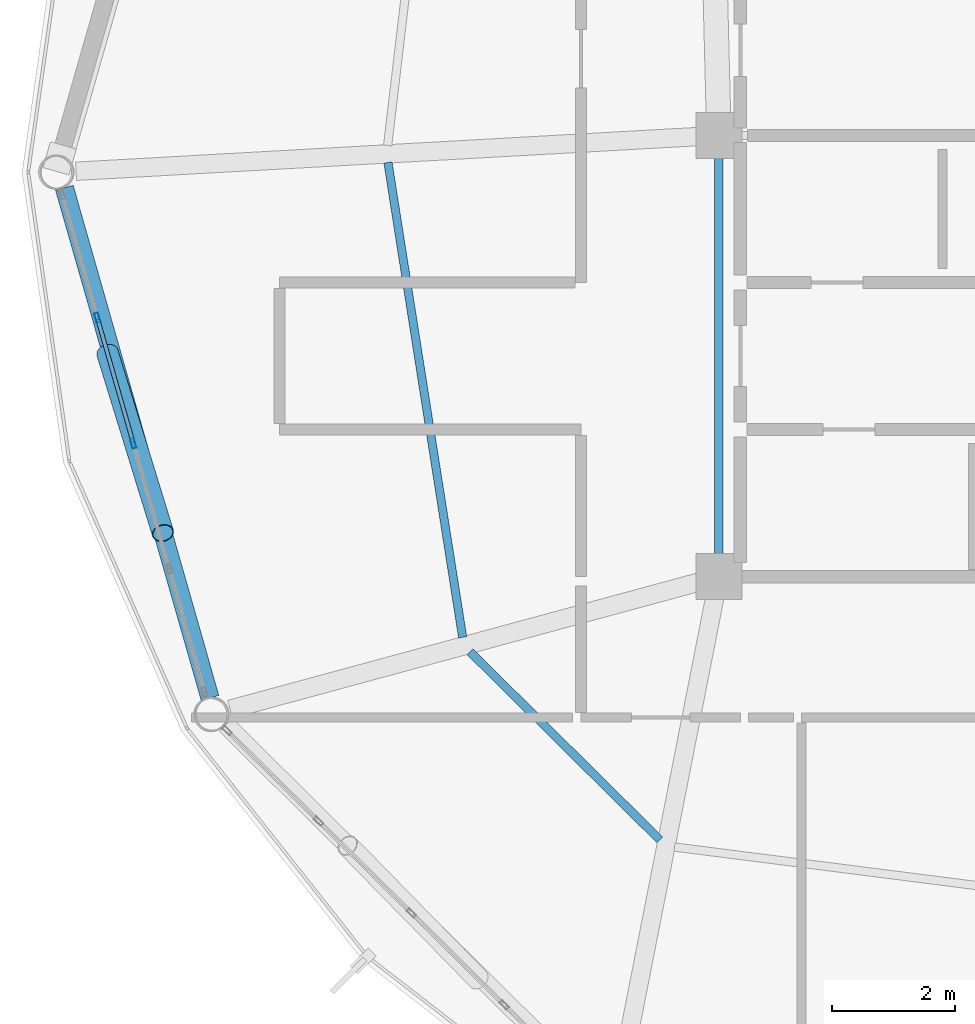
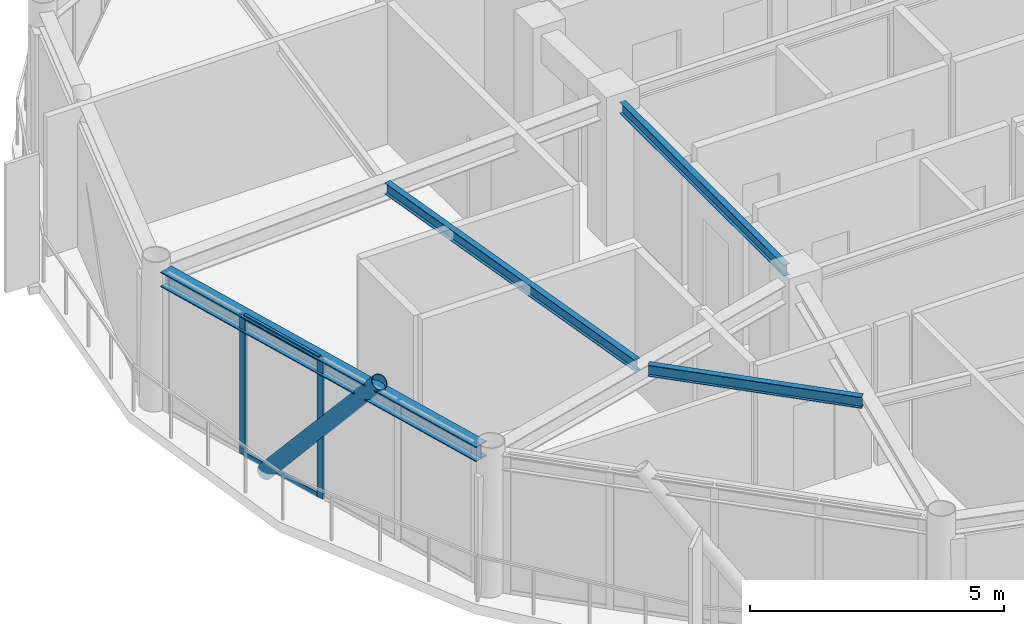
# One storey, part 5 of 24: 5 members, 4 beams, 1 element without a shape of its own.
"""IFC4 building model written with IfcOpenShell, lengths in metres."""

import ifcopenshell
import ifcopenshell.guid

model = None  # the IFC model being written
_history = None  # IfcOwnerHistory: only IFC2X3 demands one
_inside = {}  # id of a spatial element -> (the spatial element, [elements in it])
_under = {}  # id of a project, library or spatial element -> (it, [spatial elements below it])
_declared = {}  # id of a project -> (the project, [libraries it declares])
_typed = {}  # id of a type object -> (the type object, [elements of that type])
_made_of = {}  # id of a material, layer set ... -> (it, [elements and type objects made of it])


def new_model(schema):
    """Start an empty IFC model of exactly this schema.

    Asked for "IFC4X3", IfcOpenShell would pick the latest addendum, in which some entities
    have other attributes; the version numbers below select the first issue.
    IFC2X3 requires an IfcOwnerHistory on every rooted entity: one is made here for all.
    """
    global model, _history
    if schema == "IFC4X3":
        model = ifcopenshell.file(schema_version=(4, 3, 0, 0))
    else:
        model = ifcopenshell.file(schema=schema)
    _inside.clear()
    _under.clear()
    _declared.clear()
    _typed.clear()
    _made_of.clear()
    _history = None
    if model.schema == "IFC2X3":
        org = make("IfcOrganization", Name="unknown")
        user = make(
            "IfcPersonAndOrganization",
            ThePerson=make("IfcPerson", FamilyName="unknown"),
            TheOrganization=org,
        )
        app = make(
            "IfcApplication",
            ApplicationDeveloper=org,
            Version="unknown",
            ApplicationFullName="unknown",
            ApplicationIdentifier="unknown",
        )
        _history = make(
            "IfcOwnerHistory",
            OwningUser=user,
            OwningApplication=app,
            ChangeAction="ADDED",
            CreationDate=0,
        )
    return model


def make(cls, **values):
    """One entity of the class cls with the attributes given. An attribute that is None is left unset."""
    return model.create_entity(
        cls, **{name: value for name, value in values.items() if value is not None}
    )


def rooted(cls, **values):
    """An entity with a GlobalId (a new one), such as an element, a storey or a relation."""
    return make(cls, GlobalId=ifcopenshell.guid.new(), OwnerHistory=_history, **values)


def si_unit(unit_type, name, prefix=None):
    """IfcSIUnit, for example si_unit("LENGTHUNIT", "METRE", prefix="MILLI")."""
    return make("IfcSIUnit", UnitType=unit_type, Prefix=prefix, Name=name)


def assignment(units):
    """IfcUnitAssignment: the units of a project."""
    return None if units is None else make("IfcUnitAssignment", Units=units)


def point(xyz):
    """IfcCartesianPoint."""
    return None if xyz is None else make("IfcCartesianPoint", Coordinates=xyz)


def direction(xyz):
    """IfcDirection."""
    return None if xyz is None else make("IfcDirection", DirectionRatios=xyz)


def frame(location, z_axis=None, x_axis=None):
    """IfcAxis2Placement3D, a coordinate frame: its origin and axes. An axis left out is left unset."""
    return make(
        "IfcAxis2Placement3D",
        Location=point(location),
        Axis=direction(z_axis),
        RefDirection=direction(x_axis),
    )


def frame_2d(location, x_axis=None):
    """IfcAxis2Placement2D, a coordinate frame in the plane: its origin and x axis."""
    return make(
        "IfcAxis2Placement2D", Location=point(location), RefDirection=direction(x_axis)
    )


def origin():
    """The frame at (0, 0, 0) with its axes left unset."""
    return frame((0.0, 0.0, 0.0))


def origin_2d():
    """The frame at (0, 0) in the plane with its x axis left unset."""
    return frame_2d((0.0, 0.0))


def place(relative_to, where):
    """IfcLocalPlacement: puts the frame where relative to a parent placement (None: the world)."""
    return make(
        "IfcLocalPlacement", PlacementRelTo=relative_to, RelativePlacement=where
    )


def context(
    kind, dimensions, precision=None, world=None, true_north=None, identifier=None
):
    """IfcGeometricRepresentationContext, for example the 3D "Model" context."""
    return make(
        "IfcGeometricRepresentationContext",
        ContextIdentifier=identifier,
        ContextType=kind,
        CoordinateSpaceDimension=dimensions,
        Precision=precision,
        WorldCoordinateSystem=world,
        TrueNorth=true_north,
    )


def subcontext(parent, identifier, kind, view, scale=None):
    """IfcGeometricRepresentationSubContext, for example "Body" below "Model"."""
    return make(
        "IfcGeometricRepresentationSubContext",
        ContextIdentifier=identifier,
        ContextType=kind,
        ParentContext=parent,
        TargetScale=scale,
        TargetView=view,
    )


def project(units=None, contexts=None):
    """IfcProject with its units and contexts."""
    return rooted(
        "IfcProject",
        Name="project",
        RepresentationContexts=contexts,
        UnitsInContext=assignment(units),
    )


def spatial(cls, under=None, at=None, **own):
    """A site, building, storey or space (cls), placed at a placement, below another one or the project."""
    s = rooted(cls, ObjectPlacement=at, **own)
    if under is not None:
        _under.setdefault(under.id(), (under, []))[1].append(s)
    return s


def profile(cls, at=None, kind="AREA", **sizes):
    """A parametric profile (cls). Its sizes go by their IFC names, for example OverallWidth=200.0."""
    return make(cls, ProfileType=kind, Position=at, **sizes)


def hollow_rectangle(**sizes):
    """IfcRectangleHollowProfileDef."""
    return profile("IfcRectangleHollowProfileDef", **sizes)


def hollow_circle(**sizes):
    """IfcCircleHollowProfileDef."""
    return profile("IfcCircleHollowProfileDef", **sizes)


def i_section(**sizes):
    """IfcIShapeProfileDef."""
    return profile("IfcIShapeProfileDef", **sizes)


def extrude(swept, where, along, depth):
    """IfcExtrudedAreaSolid: the profile swept, set in the frame where, extruded along a direction by depth."""
    return make(
        "IfcExtrudedAreaSolid",
        SweptArea=swept,
        Position=where,
        ExtrudedDirection=direction(along),
        Depth=depth,
    )


def shape(context_of_items, identifier, shape_type, items):
    """IfcShapeRepresentation: the items that make up one representation, for example the "Body"."""
    return make(
        "IfcShapeRepresentation",
        ContextOfItems=context_of_items,
        RepresentationIdentifier=identifier,
        RepresentationType=shape_type,
        Items=items,
    )


def material(Name=None, Category=None):
    """IfcMaterial."""
    return make("IfcMaterial", Name=Name, Category=Category)


def layer(
    of_material, thickness, ventilated=None, Name=None, Category=None, Priority=None
):
    """IfcMaterialLayer: one layer of a wall or slab, of a material (None: an air gap)."""
    return make(
        "IfcMaterialLayer",
        Material=of_material,
        LayerThickness=thickness,
        IsVentilated=ventilated,
        Name=Name,
        Category=Category,
        Priority=Priority,
    )


def layer_set(layers, Name=None):
    """IfcMaterialLayerSet."""
    return make("IfcMaterialLayerSet", MaterialLayers=layers, LayerSetName=Name)


def material_profile(
    of_material, cross_section, Name=None, Category=None, Priority=None
):
    """IfcMaterialProfile: a cross section and its material."""
    return make(
        "IfcMaterialProfile",
        Name=Name,
        Material=of_material,
        Profile=cross_section,
        Priority=Priority,
        Category=Category,
    )


def profile_set(profiles, Name=None, composite=None):
    """IfcMaterialProfileSet."""
    return make(
        "IfcMaterialProfileSet",
        Name=Name,
        MaterialProfiles=profiles,
        CompositeProfile=composite,
    )


def made_of(thing, what):
    """Note that an element or type object is made of a material, layer set ...; save() writes the relation."""
    if what is not None:
        _made_of.setdefault(what.id(), (what, []))[1].append(thing)
    return thing


def type_object(cls, material=None, **own):
    """A type object (cls), such as IfcWallType, which elements share."""
    return made_of(rooted(cls, **own), material)


def element(
    cls,
    number,
    at=None,
    inside=None,
    cuts=None,
    type_object=None,
    material=None,
    context=None,
    identifier="Body",
    shape_type=None,
    held_by="IfcProductDefinitionShape",
    body=None,
    shapes=None,
    **own,
):
    """One element of the class cls, such as IfcWall. Its Tag is "e" and its number.

    at: its placement. inside: the storey or other place that contains it. cuts: it is an
    opening in that element (IfcRelVoidsElement). A single representation is given by context,
    identifier, shape_type and body (its items); several are given by shapes. held_by: the class
    of the entity that holds the representations. save() writes the other relations.
    """
    e = rooted(cls, Tag="e%d" % number, ObjectPlacement=at, **own)
    if body is not None:
        shapes = [shape(context, identifier, shape_type, body)]
    if shapes is not None:
        e.Representation = make(held_by, Representations=shapes)
    if inside is not None:
        _inside.setdefault(inside.id(), (inside, []))[1].append(e)
    if cuts is not None:
        rooted(
            "IfcRelVoidsElement", RelatingBuildingElement=cuts, RelatedOpeningElement=e
        )
    if type_object is not None:
        _typed.setdefault(type_object.id(), (type_object, []))[1].append(e)
    return made_of(e, material)


def aggregate(whole, parts):
    """IfcRelAggregates: a whole, such as a stair, and the parts it consists of."""
    return rooted("IfcRelAggregates", RelatingObject=whole, RelatedObjects=parts)


def save(model, path):
    """Write the relations noted so far, then the file.

    IfcRelAggregates (storeys below a building ...), IfcRelContainedInSpatialStructure (elements
    in a storey), IfcRelDefinesByType, IfcRelAssociatesMaterial and IfcRelDeclares: one each for
    every whole, place, type object, material and project.
    """
    for whole, parts in _under.values():
        aggregate(whole, parts)
    for where, things in _inside.values():
        rooted(
            "IfcRelContainedInSpatialStructure",
            RelatedElements=things,
            RelatingStructure=where,
        )
    for kind, things in _typed.values():
        rooted("IfcRelDefinesByType", RelatedObjects=things, RelatingType=kind)
    for what, things in _made_of.values():
        rooted("IfcRelAssociatesMaterial", RelatedObjects=things, RelatingMaterial=what)
    for by, libraries in _declared.values():
        rooted("IfcRelDeclares", RelatingContext=by, RelatedDefinitions=libraries)
    model.write(path)


model = new_model("IFC4")

# Units and contexts
model_context = context("Model", 3, precision=1e-05, world=origin(), true_north=direction((0.0, 1.0)))
body_context = subcontext(model_context, "Body", "Model", "MODEL_VIEW")
ifc_project = project(units=[si_unit("LENGTHUNIT", "METRE"), si_unit("AREAUNIT", "SQUARE_METRE"), si_unit("VOLUMEUNIT", "CUBIC_METRE"), si_unit("PLANEANGLEUNIT", "RADIAN"), si_unit("MASSUNIT", "GRAM", prefix="KILO")], contexts=[model_context])

# Site, building, storey
site_placement = place(None, origin())
site = spatial("IfcSite", under=ifc_project, at=site_placement, CompositionType="ELEMENT")
building_placement = place(site_placement, origin())
building = spatial("IfcBuilding", under=site, at=building_placement, Name="Varnakorn Sky Granary", CompositionType="ELEMENT")
storey_placement = place(building_placement, frame((0.0, 0.0, 274.199951171875)))
storey = spatial("IfcBuildingStorey", under=building, at=storey_placement, Name="L70", CompositionType="ELEMENT", Elevation=274.199951171875)

# Beams
ifc_material_1 = material(Name="Steel S355JR", Category="steel")
ifc_material_profile_1 = material_profile(ifc_material_1, i_section(OverallWidth=0.135009765625, OverallDepth=0.27001953125, WebThickness=0.006591796875, FlangeThickness=0.01025390625, at=origin_2d()), Name="IPE 270")
ifc_profile_set_1 = profile_set([ifc_material_profile_1], Name="Steel S355JR")
beam_type_1 = type_object("IfcBeamType", Name="BM-SEC-Z5", PredefinedType="BEAM", material=ifc_profile_set_1)
beam_1_placement = place(storey_placement, frame((-7.75, 0.1591796875, 3.22509765625), z_axis=(0.155419190833, -0.987848609414, 0.0), x_axis=(0.987848609414, 0.155419190833, 0.0)))
element("IfcBeam", 1, at=beam_1_placement, inside=storey, type_object=beam_type_1, Name="Secondary Floor Chord Beam MSB07 L70", PredefinedType="BEAM", context=body_context, shape_type="SweptSolid", body=[
    extrude(i_section(OverallWidth=0.135009765625, OverallDepth=0.27001953125, WebThickness=0.006591796875, FlangeThickness=0.01025390625, at=origin_2d()), origin(), (0.0, 0.0, 1.0), 7.8447265625),
])
beam_2_placement = place(storey_placement, frame((-6.40966796875, -7.8271484375, 3.22509765625), z_axis=(0.710347007539, -0.703851638402, 0.0), x_axis=(0.703851638402, 0.710347007539, 0.0)))
element("IfcBeam", 2, at=beam_2_placement, inside=storey, type_object=beam_type_1, Name="Secondary Floor Chord Beam MSB08 L70", PredefinedType="BEAM", context=body_context, shape_type="SweptSolid", body=[
    extrude(i_section(OverallWidth=0.135009765625, OverallDepth=0.27001953125, WebThickness=0.006591796875, FlangeThickness=0.01025390625, at=origin_2d()), origin(), (0.0, 0.0, 1.0), 4.360107421875),
])
beam_3_placement = place(storey_placement, frame((-2.35009765625, 0.2451171875, 3.22509765625), z_axis=(0.0, -1.0, 0.0), x_axis=(1.0, 0.0, 0.0)))
element("IfcBeam", 3, at=beam_3_placement, inside=storey, type_object=beam_type_1, Name="Core Spine Framing Beam 3 L70", PredefinedType="BEAM", context=body_context, shape_type="SweptSolid", body=[
    extrude(i_section(OverallWidth=0.135009765625, OverallDepth=0.27001953125, WebThickness=0.006591796875, FlangeThickness=0.01025390625, at=origin_2d()), origin(), (0.0, 0.0, 1.0), 6.490234375),
])
ifc_material_profile_2 = material_profile(ifc_material_1, i_section(OverallWidth=0.300048828125, OverallDepth=0.360107421875, WebThickness=0.012451171875, FlangeThickness=0.0224609375, at=origin_2d()), Name="HE 360 B")
ifc_profile_set_2 = profile_set([ifc_material_profile_2], Name="Steel S355JR")
beam_type_2 = type_object("IfcBeamType", Name="BM-SPD-Z5", PredefinedType="SPANDREL", material=ifc_profile_set_2)
beam_4_placement = place(storey_placement, frame((-13.030517578125, -0.25439453125, 3.179931640625), z_axis=(0.27458331757, -0.961563311338, 0.0), x_axis=(0.961563311338, 0.27458331757, 0.0)))
element("IfcBeam", 4, at=beam_4_placement, inside=storey, type_object=beam_type_2, Name="Perimeter Spandrel Ring Beam RB07 L70", PredefinedType="SPANDREL", context=body_context, shape_type="SweptSolid", body=[
    extrude(i_section(OverallWidth=0.300048828125, OverallDepth=0.360107421875, WebThickness=0.012451171875, FlangeThickness=0.0224609375, at=origin_2d()), origin(), (0.0, 0.0, 1.0), 8.657470703125),
])

# Curtain wall, members
ifc_material_2 = material(Name="Anodised Bronze Aluminium Alloy 6063-T6", Category="aluminium")
ifc_layer = layer(ifc_material_2, 0.159912109375, Name="Anodised Bronze Aluminium Alloy 6063-T6")
ifc_layer_set = layer_set([ifc_layer], Name="Anodised Bronze Aluminium Alloy 6063-T6")
curtain_wall_type = type_object("IfcCurtainWallType", Name="CW-OFF-1", PredefinedType="USERDEFINED", material=ifc_layer_set)
curtain_wall_placement = place(storey_placement, origin())
curtain_wall = element("IfcCurtainWall", 5, at=curtain_wall_placement, inside=storey, type_object=curtain_wall_type, Name="Unitised Curtain Wall CW6 CW-L70-B07", ObjectType="CURTAIN WALL", PredefinedType="USERDEFINED")
ifc_material_profile_3 = material_profile(ifc_material_2, hollow_rectangle(XDim=0.06494140625, YDim=0.159912109375, WallThickness=0.00341796875, at=origin_2d()), Name="ALU MULL 65x160")
ifc_profile_set_3 = profile_set([ifc_material_profile_3], Name="Anodised Bronze Aluminium Alloy 6063-T6")
member_type_1 = type_object("IfcMemberType", Name="CW-OFF-1-MULL", PredefinedType="MULLION", material=ifc_profile_set_3)
member_1_placement = place(storey_placement, frame((-11.9052734375, -4.425048828125, 0.0), z_axis=(0.0, 0.0, 1.0), x_axis=(-0.961448226015, -0.27498601545, 0.0)))
member_1 = element("IfcMember", 6, at=member_1_placement, type_object=member_type_1, Name="CW6 mullion 3", PredefinedType="MULLION", context=body_context, shape_type="SweptSolid", body=[
    extrude(hollow_rectangle(XDim=0.06494140625, YDim=0.159912109375, WallThickness=0.00341796875, at=origin_2d()), origin(), (0.0, 0.0, 1.0), 3.360107421875),
])
member_2_placement = place(storey_placement, frame((-12.491455078125, -2.375732421875, 0.0), z_axis=(0.0, 0.0, 1.0), x_axis=(-0.961448226015, -0.27498601545, 0.0)))
member_2 = element("IfcMember", 7, at=member_2_placement, type_object=member_type_1, Name="CW6 mullion 4", PredefinedType="MULLION", context=body_context, shape_type="SweptSolid", body=[
    extrude(hollow_rectangle(XDim=0.06494140625, YDim=0.159912109375, WallThickness=0.00341796875, at=origin_2d()), origin(), (0.0, 0.0, 1.0), 3.360107421875),
])
ifc_material_profile_4 = material_profile(ifc_material_2, hollow_rectangle(XDim=0.06494140625, YDim=0.1201171875, WallThickness=0.00341796875, at=origin_2d()), Name="ALU TRAN 65x120")
ifc_profile_set_4 = profile_set([ifc_material_profile_4], Name="Anodised Bronze Aluminium Alloy 6063-T6")
member_type_2 = type_object("IfcMemberType", Name="CW-OFF-1-TRAN", PredefinedType="USERDEFINED", material=ifc_profile_set_4)
member_3_placement = place(storey_placement, frame((-11.914306640625, -4.393798828125, 0.032470703125), z_axis=(-0.274923974933, 0.9614659682, 0.0), x_axis=(-0.9614659682, -0.274923974933, 0.0)))
member_3 = element("IfcMember", 8, at=member_3_placement, type_object=member_type_2, Name="CW6 transom 3.1", ObjectType="TRANSOM", PredefinedType="USERDEFINED", context=body_context, shape_type="SweptSolid", body=[
    extrude(hollow_rectangle(XDim=0.06494140625, YDim=0.1201171875, WallThickness=0.00341796875, at=origin_2d()), origin(), (0.0, 0.0, 1.0), 2.06640625),
])
member_4_placement = place(storey_placement, frame((-11.914306640625, -4.393798828125, 3.32763671875), z_axis=(-0.274923974933, 0.9614659682, 0.0), x_axis=(-0.9614659682, -0.274923974933, 0.0)))
member_4 = element("IfcMember", 9, at=member_4_placement, type_object=member_type_2, Name="CW6 transom 3.2", ObjectType="TRANSOM", PredefinedType="USERDEFINED", context=body_context, shape_type="SweptSolid", body=[
    extrude(hollow_rectangle(XDim=0.06494140625, YDim=0.1201171875, WallThickness=0.00341796875, at=origin_2d()), origin(), (0.0, 0.0, 1.0), 2.06640625),
])
aggregate(curtain_wall, [member_1, member_2, member_3, member_4])

# Member
ifc_material_3 = material(Name="Steel S460M", Category="steel")
ifc_material_profile_5 = material_profile(ifc_material_3, hollow_circle(Radius=0.177734375, WallThickness=0.01416015625, at=origin_2d()), Name="CHS 355.6x14")
ifc_profile_set_5 = profile_set([ifc_material_profile_5], Name="Steel S460M")
member_type_3 = type_object("IfcMemberType", Name="MB-DIAG-T5", PredefinedType="BRACE", material=ifc_profile_set_5)
member_5_placement = place(storey_placement, frame((-12.3271484375, -2.949951171875, -0.1298828125), z_axis=(0.19069132815, -0.618744530532, 0.762097121964), x_axis=(0.955645026772, 0.294520937807, 0.0)))
element("IfcMember", 10, at=member_5_placement, inside=storey, type_object=member_type_3, Name="Perimeter CHS Diagrid Brace DG07 L70", PredefinedType="BRACE", context=body_context, shape_type="SweptSolid", body=[
    extrude(hollow_circle(Radius=0.177734375, WallThickness=0.01416015625, at=origin_2d()), origin(), (0.0, 0.0, 1.0), 4.75),
])

save(model, "model.ifc")
